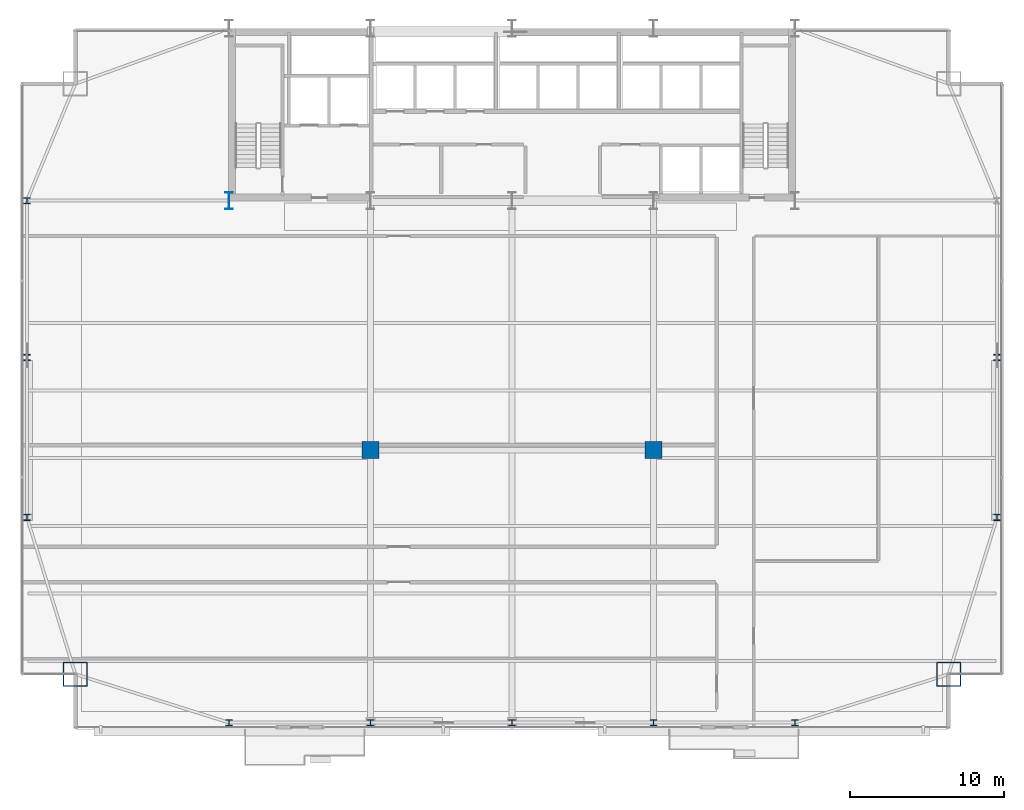
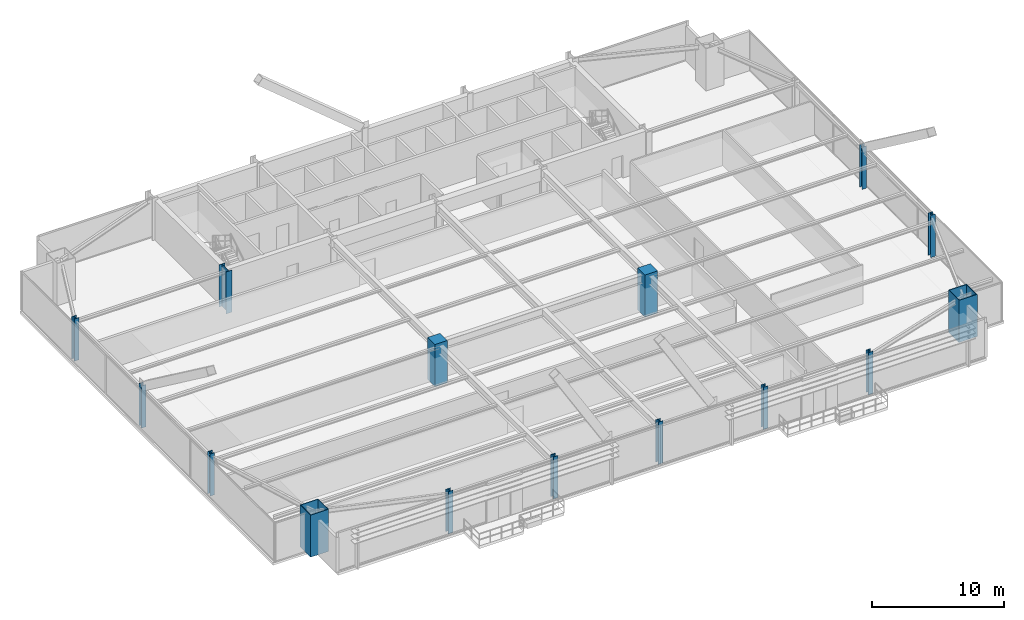
# One storey, part 1 of 34: 15 columns.
"""IFC4 building model written with IfcOpenShell, lengths in metres."""

import ifcopenshell
import ifcopenshell.guid

model = None  # the IFC model being written
_history = None  # IfcOwnerHistory: only IFC2X3 demands one
_inside = {}  # id of a spatial element -> (the spatial element, [elements in it])
_under = {}  # id of a project, library or spatial element -> (it, [spatial elements below it])
_declared = {}  # id of a project -> (the project, [libraries it declares])
_typed = {}  # id of a type object -> (the type object, [elements of that type])
_made_of = {}  # id of a material, layer set ... -> (it, [elements and type objects made of it])


def new_model(schema):
    """Start an empty IFC model of exactly this schema.

    Asked for "IFC4X3", IfcOpenShell would pick the latest addendum, in which some entities
    have other attributes; the version numbers below select the first issue.
    IFC2X3 requires an IfcOwnerHistory on every rooted entity: one is made here for all.
    """
    global model, _history
    if schema == "IFC4X3":
        model = ifcopenshell.file(schema_version=(4, 3, 0, 0))
    else:
        model = ifcopenshell.file(schema=schema)
    _inside.clear()
    _under.clear()
    _declared.clear()
    _typed.clear()
    _made_of.clear()
    _history = None
    if model.schema == "IFC2X3":
        org = make("IfcOrganization", Name="unknown")
        user = make(
            "IfcPersonAndOrganization",
            ThePerson=make("IfcPerson", FamilyName="unknown"),
            TheOrganization=org,
        )
        app = make(
            "IfcApplication",
            ApplicationDeveloper=org,
            Version="unknown",
            ApplicationFullName="unknown",
            ApplicationIdentifier="unknown",
        )
        _history = make(
            "IfcOwnerHistory",
            OwningUser=user,
            OwningApplication=app,
            ChangeAction="ADDED",
            CreationDate=0,
        )
    return model


def make(cls, **values):
    """One entity of the class cls with the attributes given. An attribute that is None is left unset."""
    return model.create_entity(
        cls, **{name: value for name, value in values.items() if value is not None}
    )


def rooted(cls, **values):
    """An entity with a GlobalId (a new one), such as an element, a storey or a relation."""
    return make(cls, GlobalId=ifcopenshell.guid.new(), OwnerHistory=_history, **values)


def si_unit(unit_type, name, prefix=None):
    """IfcSIUnit, for example si_unit("LENGTHUNIT", "METRE", prefix="MILLI")."""
    return make("IfcSIUnit", UnitType=unit_type, Prefix=prefix, Name=name)


def assignment(units):
    """IfcUnitAssignment: the units of a project."""
    return None if units is None else make("IfcUnitAssignment", Units=units)


def point(xyz):
    """IfcCartesianPoint."""
    return None if xyz is None else make("IfcCartesianPoint", Coordinates=xyz)


def direction(xyz):
    """IfcDirection."""
    return None if xyz is None else make("IfcDirection", DirectionRatios=xyz)


def frame(location, z_axis=None, x_axis=None):
    """IfcAxis2Placement3D, a coordinate frame: its origin and axes. An axis left out is left unset."""
    return make(
        "IfcAxis2Placement3D",
        Location=point(location),
        Axis=direction(z_axis),
        RefDirection=direction(x_axis),
    )


def frame_2d(location, x_axis=None):
    """IfcAxis2Placement2D, a coordinate frame in the plane: its origin and x axis."""
    return make(
        "IfcAxis2Placement2D", Location=point(location), RefDirection=direction(x_axis)
    )


def origin():
    """The frame at (0, 0, 0) with its axes left unset."""
    return frame((0.0, 0.0, 0.0))


def origin_2d():
    """The frame at (0, 0) in the plane with its x axis left unset."""
    return frame_2d((0.0, 0.0))


def place(relative_to, where):
    """IfcLocalPlacement: puts the frame where relative to a parent placement (None: the world)."""
    return make(
        "IfcLocalPlacement", PlacementRelTo=relative_to, RelativePlacement=where
    )


def context(
    kind, dimensions, precision=None, world=None, true_north=None, identifier=None
):
    """IfcGeometricRepresentationContext, for example the 3D "Model" context."""
    return make(
        "IfcGeometricRepresentationContext",
        ContextIdentifier=identifier,
        ContextType=kind,
        CoordinateSpaceDimension=dimensions,
        Precision=precision,
        WorldCoordinateSystem=world,
        TrueNorth=true_north,
    )


def subcontext(parent, identifier, kind, view, scale=None):
    """IfcGeometricRepresentationSubContext, for example "Body" below "Model"."""
    return make(
        "IfcGeometricRepresentationSubContext",
        ContextIdentifier=identifier,
        ContextType=kind,
        ParentContext=parent,
        TargetScale=scale,
        TargetView=view,
    )


def project(units=None, contexts=None):
    """IfcProject with its units and contexts."""
    return rooted(
        "IfcProject",
        Name="project",
        RepresentationContexts=contexts,
        UnitsInContext=assignment(units),
    )


def spatial(cls, under=None, at=None, **own):
    """A site, building, storey or space (cls), placed at a placement, below another one or the project."""
    s = rooted(cls, ObjectPlacement=at, **own)
    if under is not None:
        _under.setdefault(under.id(), (under, []))[1].append(s)
    return s


def profile(cls, at=None, kind="AREA", **sizes):
    """A parametric profile (cls). Its sizes go by their IFC names, for example OverallWidth=200.0."""
    return make(cls, ProfileType=kind, Position=at, **sizes)


def rectangle(**sizes):
    """IfcRectangleProfileDef."""
    return profile("IfcRectangleProfileDef", **sizes)


def hollow_rectangle(**sizes):
    """IfcRectangleHollowProfileDef."""
    return profile("IfcRectangleHollowProfileDef", **sizes)


def i_section(**sizes):
    """IfcIShapeProfileDef."""
    return profile("IfcIShapeProfileDef", **sizes)


def extrude(swept, where, along, depth):
    """IfcExtrudedAreaSolid: the profile swept, set in the frame where, extruded along a direction by depth."""
    return make(
        "IfcExtrudedAreaSolid",
        SweptArea=swept,
        Position=where,
        ExtrudedDirection=direction(along),
        Depth=depth,
    )


def shape(context_of_items, identifier, shape_type, items):
    """IfcShapeRepresentation: the items that make up one representation, for example the "Body"."""
    return make(
        "IfcShapeRepresentation",
        ContextOfItems=context_of_items,
        RepresentationIdentifier=identifier,
        RepresentationType=shape_type,
        Items=items,
    )


def source(mapping_origin, context_of_items, identifier, shape_type, items):
    """IfcRepresentationMap: a shape defined once, which mapped items show again and again."""
    return make(
        "IfcRepresentationMap",
        MappingOrigin=mapping_origin,
        MappedRepresentation=shape(context_of_items, identifier, shape_type, items),
    )


def transform(
    local_origin,
    x_axis=None,
    y_axis=None,
    z_axis=None,
    scale=None,
    scale2=None,
    scale3=None,
    uniform=True,
):
    """IfcCartesianTransformationOperator3D, or its non-uniform kind. x_axis, y_axis, z_axis: its Axis1, 2, 3."""
    if uniform:
        return make(
            "IfcCartesianTransformationOperator3D",
            Axis1=direction(x_axis),
            Axis2=direction(y_axis),
            LocalOrigin=point(local_origin),
            Scale=scale,
            Axis3=direction(z_axis),
        )
    return make(
        "IfcCartesianTransformationOperator3DnonUniform",
        Axis1=direction(x_axis),
        Axis2=direction(y_axis),
        LocalOrigin=point(local_origin),
        Scale=scale,
        Axis3=direction(z_axis),
        Scale2=scale2,
        Scale3=scale3,
    )


def mapped(mapping_source, mapping_target):
    """IfcMappedItem: shows the shape of a source again, moved by a transform."""
    return make(
        "IfcMappedItem", MappingSource=mapping_source, MappingTarget=mapping_target
    )


def material(Name=None, Category=None):
    """IfcMaterial."""
    return make("IfcMaterial", Name=Name, Category=Category)


def material_profile(
    of_material, cross_section, Name=None, Category=None, Priority=None
):
    """IfcMaterialProfile: a cross section and its material."""
    return make(
        "IfcMaterialProfile",
        Name=Name,
        Material=of_material,
        Profile=cross_section,
        Priority=Priority,
        Category=Category,
    )


def profile_set(profiles, Name=None, composite=None):
    """IfcMaterialProfileSet."""
    return make(
        "IfcMaterialProfileSet",
        Name=Name,
        MaterialProfiles=profiles,
        CompositeProfile=composite,
    )


def made_of(thing, what):
    """Note that an element or type object is made of a material, layer set ...; save() writes the relation."""
    if what is not None:
        _made_of.setdefault(what.id(), (what, []))[1].append(thing)
    return thing


def type_object(cls, material=None, **own):
    """A type object (cls), such as IfcWallType, which elements share."""
    return made_of(rooted(cls, **own), material)


def type_shapes(of_type, sources):
    """Give a type object the sources (RepresentationMaps) that its elements show as mapped items."""
    of_type.RepresentationMaps = sources


def element(
    cls,
    number,
    at=None,
    inside=None,
    cuts=None,
    type_object=None,
    material=None,
    context=None,
    identifier="Body",
    shape_type=None,
    held_by="IfcProductDefinitionShape",
    body=None,
    shapes=None,
    **own,
):
    """One element of the class cls, such as IfcWall. Its Tag is "e" and its number.

    at: its placement. inside: the storey or other place that contains it. cuts: it is an
    opening in that element (IfcRelVoidsElement). A single representation is given by context,
    identifier, shape_type and body (its items); several are given by shapes. held_by: the class
    of the entity that holds the representations. save() writes the other relations.
    """
    e = rooted(cls, Tag="e%d" % number, ObjectPlacement=at, **own)
    if body is not None:
        shapes = [shape(context, identifier, shape_type, body)]
    if shapes is not None:
        e.Representation = make(held_by, Representations=shapes)
    if inside is not None:
        _inside.setdefault(inside.id(), (inside, []))[1].append(e)
    if cuts is not None:
        rooted(
            "IfcRelVoidsElement", RelatingBuildingElement=cuts, RelatedOpeningElement=e
        )
    if type_object is not None:
        _typed.setdefault(type_object.id(), (type_object, []))[1].append(e)
    return made_of(e, material)


def aggregate(whole, parts):
    """IfcRelAggregates: a whole, such as a stair, and the parts it consists of."""
    return rooted("IfcRelAggregates", RelatingObject=whole, RelatedObjects=parts)


def save(model, path):
    """Write the relations noted so far, then the file.

    IfcRelAggregates (storeys below a building ...), IfcRelContainedInSpatialStructure (elements
    in a storey), IfcRelDefinesByType, IfcRelAssociatesMaterial and IfcRelDeclares: one each for
    every whole, place, type object, material and project.
    """
    for whole, parts in _under.values():
        aggregate(whole, parts)
    for where, things in _inside.values():
        rooted(
            "IfcRelContainedInSpatialStructure",
            RelatedElements=things,
            RelatingStructure=where,
        )
    for kind, things in _typed.values():
        rooted("IfcRelDefinesByType", RelatedObjects=things, RelatingType=kind)
    for what, things in _made_of.values():
        rooted("IfcRelAssociatesMaterial", RelatedObjects=things, RelatingMaterial=what)
    for by, libraries in _declared.values():
        rooted("IfcRelDeclares", RelatingContext=by, RelatedDefinitions=libraries)
    model.write(path)


model = new_model("IFC4")

# Units and contexts
model_context = context("Model", 3, precision=1e-05, world=origin(), true_north=direction((0.0, 1.0)))
body_context = subcontext(model_context, "Body", "Model", "MODEL_VIEW")
ifc_project = project(units=[si_unit("LENGTHUNIT", "METRE"), si_unit("AREAUNIT", "SQUARE_METRE"), si_unit("VOLUMEUNIT", "CUBIC_METRE"), si_unit("PLANEANGLEUNIT", "RADIAN"), si_unit("MASSUNIT", "GRAM", prefix="KILO")], contexts=[model_context])

# Site, building, storey
site_placement = place(None, origin())
site = spatial("IfcSite", under=ifc_project, at=site_placement, CompositionType="ELEMENT")
building_placement = place(site_placement, origin())
building = spatial("IfcBuilding", under=site, at=building_placement, Name="Varnel Quay Broadcast Tower", CompositionType="ELEMENT")
storey_placement = place(building_placement, frame((0.0, 0.0, 47.10009765625)))
storey = spatial("IfcBuildingStorey", under=building, at=storey_placement, Name="L10", CompositionType="ELEMENT", Elevation=47.10009765625)

# Columns
ifc_material_1 = material(Name="Structural Steel CSA G40.21 350WT", Category="steel")
ifc_material_profile_1 = material_profile(ifc_material_1, i_section(OverallWidth=0.5, OverallDepth=1.10009765625, WebThickness=0.01806640625, FlangeThickness=0.031982421875, FilletRadius=0.01806640625, at=origin_2d()), Name="WWF1100X418")
ifc_profile_set_1 = profile_set([ifc_material_profile_1], Name="Structural Steel CSA G40.21 350WT")
column_type_1 = type_object("IfcColumnType", Name="Col_WWF1100X418", PredefinedType="COLUMN", material=ifc_profile_set_1)
shared_shape_1 = source(origin(), body_context, "Body", "SweptSolid", [
    extrude(i_section(OverallWidth=0.5, OverallDepth=1.10009765625, WebThickness=0.01806640625, FlangeThickness=0.031982421875, FilletRadius=0.01806640625, at=origin_2d()), origin(), (0.0, 0.0, 1.0), 3.89990234375),
])
type_shapes(column_type_1, [shared_shape_1])
column_placement = place(storey_placement, frame((15.60009765625, 35.60009765625, 0.0), z_axis=(0.0, 0.0, 1.0), x_axis=(1.0, 0.0, 0.0)))
element("IfcColumn", 1, at=column_placement, inside=storey, type_object=column_type_1, Name="L10 Column CC-S1", PredefinedType="COLUMN", context=body_context, shape_type="MappedRepresentation", body=[
    mapped(shared_shape_1, transform((0.0, 0.0, 0.0), x_axis=(1.0, 0.0, 0.0), y_axis=(0.0, 1.0, 0.0), z_axis=(0.0, 0.0, 1.0), scale=1.0)),
])
ifc_material_profile_2 = material_profile(ifc_material_1, hollow_rectangle(XDim=1.60009765625, YDim=1.60009765625, WallThickness=0.06005859375, at=origin_2d()), Name="BOX1600X1600X60")
ifc_profile_set_2 = profile_set([ifc_material_profile_2], Name="Structural Steel CSA G40.21 350WT")
column_type_2 = type_object("IfcColumnType", Name="Col_BOX1600X1600X60", PredefinedType="COLUMN", material=ifc_profile_set_2)
shared_shape_2 = source(origin(), body_context, "Body", "SweptSolid", [
    extrude(hollow_rectangle(XDim=1.60009765625, YDim=1.60009765625, WallThickness=0.06005859375, at=origin_2d()), origin(), (0.0, 0.0, 1.0), 3.89990234375),
])
type_shapes(column_type_2, [shared_shape_2])
for number, where, z_axis, x_axis, name in (
    (2, (5.60009765625, 4.800048828125, 0.0), (0.0, 0.0, 1.0), (1.0, 0.0, 0.0), "L10 Column MC-SW"),
    (3, (62.39990234375, 4.800048828125, 0.0), (0.0, 0.0, 1.0), (1.0, 0.0, 0.0), "L10 Column MC-SE"),
):
    element("IfcColumn", number, at=place(storey_placement, frame(where, z_axis=z_axis, x_axis=x_axis)), inside=storey, type_object=column_type_2, Name=name, PredefinedType="COLUMN", context=body_context, shape_type="MappedRepresentation", body=[
        mapped(shared_shape_2, transform((0.0, 0.0, 0.0), x_axis=(1.0, 0.0, 0.0), y_axis=(0.0, 1.0, 0.0), z_axis=(0.0, 0.0, 1.0), scale=1.0)),
    ])
ifc_material_2 = material(Name="Structural Steel CSA G40.21 350W", Category="steel")
ifc_material_profile_3 = material_profile(ifc_material_2, i_section(OverallWidth=0.404052734375, OverallDepth=0.406982421875, WebThickness=0.027099609375, FlangeThickness=0.043701171875, FilletRadius=0.01806640625, at=origin_2d()), Name="W360X347")
ifc_profile_set_3 = profile_set([ifc_material_profile_3], Name="Structural Steel CSA G40.21 350W")
column_type_3 = type_object("IfcColumnType", Name="Col_W360X347", PredefinedType="COLUMN", material=ifc_profile_set_3)
shared_shape_3 = source(origin(), body_context, "Body", "SweptSolid", [
    extrude(i_section(OverallWidth=0.404052734375, OverallDepth=0.406982421875, WebThickness=0.027099609375, FlangeThickness=0.043701171875, FilletRadius=0.01806640625, at=origin_2d()), origin(), (0.0, 0.0, 1.0), 3.89990234375),
])
type_shapes(column_type_3, [shared_shape_3])
for number, where, z_axis, x_axis, name in (
    (4, (15.60009765625, 1.64990234375, 0.0), (0.0, 0.0, 1.0), (1.0, 0.0, 0.0), "L10 Column TC-S1"),
    (5, (24.800048828125, 1.64990234375, 0.0), (0.0, 0.0, 1.0), (1.0, 0.0, 0.0), "L10 Column TC-S2"),
    (6, (34.0, 1.64990234375, 0.0), (0.0, 0.0, 1.0), (1.0, 0.0, 0.0), "L10 Column TC-S3"),
    (7, (43.199951171875, 1.64990234375, 0.0), (0.0, 0.0, 1.0), (1.0, 0.0, 0.0), "L10 Column TC-S4"),
    (8, (52.39990234375, 1.64990234375, 0.0), (0.0, 0.0, 1.0), (1.0, 0.0, 0.0), "L10 Column TC-S5"),
    (9, (2.449951171875, 15.0, 0.0), (0.0, 0.0, 1.0), (1.0, 0.0, 0.0), "L10 Column TC-W1"),
    (10, (65.550048828125, 15.0, 0.0), (0.0, 0.0, 1.0), (1.0, 0.0, 0.0), "L10 Column TC-E1"),
    (11, (2.449951171875, 25.39990234375, 0.0), (0.0, 0.0, 1.0), (1.0, 0.0, 0.0), "L10 Column TC-W2"),
    (12, (65.550048828125, 25.39990234375, 0.0), (0.0, 0.0, 1.0), (1.0, 0.0, 0.0), "L10 Column TC-E2"),
    (13, (2.449951171875, 35.60009765625, 0.0), (0.0, 0.0, 1.0), (1.0, 0.0, 0.0), "L10 Column TC-W3"),
):
    element("IfcColumn", number, at=place(storey_placement, frame(where, z_axis=z_axis, x_axis=x_axis)), inside=storey, type_object=column_type_3, Name=name, PredefinedType="COLUMN", context=body_context, shape_type="MappedRepresentation", body=[
        mapped(shared_shape_3, transform((0.0, 0.0, 0.0), x_axis=(1.0, 0.0, 0.0), y_axis=(0.0, 1.0, 0.0), z_axis=(0.0, 0.0, 1.0), scale=1.0)),
    ])
ifc_material_3 = material(Name="Concrete CSA A23.3 C60/75", Category="concrete")
ifc_material_profile_4 = material_profile(ifc_material_3, rectangle(XDim=1.10009765625, YDim=1.10009765625, at=origin_2d()), Name="RC1100X1100")
ifc_profile_set_4 = profile_set([ifc_material_profile_4], Name="Concrete CSA A23.3 C60/75")
column_type_4 = type_object("IfcColumnType", Name="Col_RC1100X1100", PredefinedType="COLUMN", material=ifc_profile_set_4)
shared_shape_4 = source(origin(), body_context, "Body", "SweptSolid", [
    extrude(rectangle(XDim=1.10009765625, YDim=1.10009765625, at=origin_2d()), origin(), (0.0, 0.0, 1.0), 3.89990234375),
])
type_shapes(column_type_4, [shared_shape_4])
for number, where, z_axis, x_axis, name in (
    (14, (24.800048828125, 19.3701171875, 0.0), (0.0, 0.0, 1.0), (1.0, 0.0, 0.0), "L10 Column IC-01"),
    (15, (43.199951171875, 19.3701171875, 0.0), (0.0, 0.0, 1.0), (1.0, 0.0, 0.0), "L10 Column IC-02"),
):
    element("IfcColumn", number, at=place(storey_placement, frame(where, z_axis=z_axis, x_axis=x_axis)), inside=storey, type_object=column_type_4, Name=name, PredefinedType="COLUMN", context=body_context, shape_type="MappedRepresentation", body=[
        mapped(shared_shape_4, transform((0.0, 0.0, 0.0), x_axis=(1.0, 0.0, 0.0), y_axis=(0.0, 1.0, 0.0), z_axis=(0.0, 0.0, 1.0), scale=1.0)),
    ])

save(model, "model.ifc")
